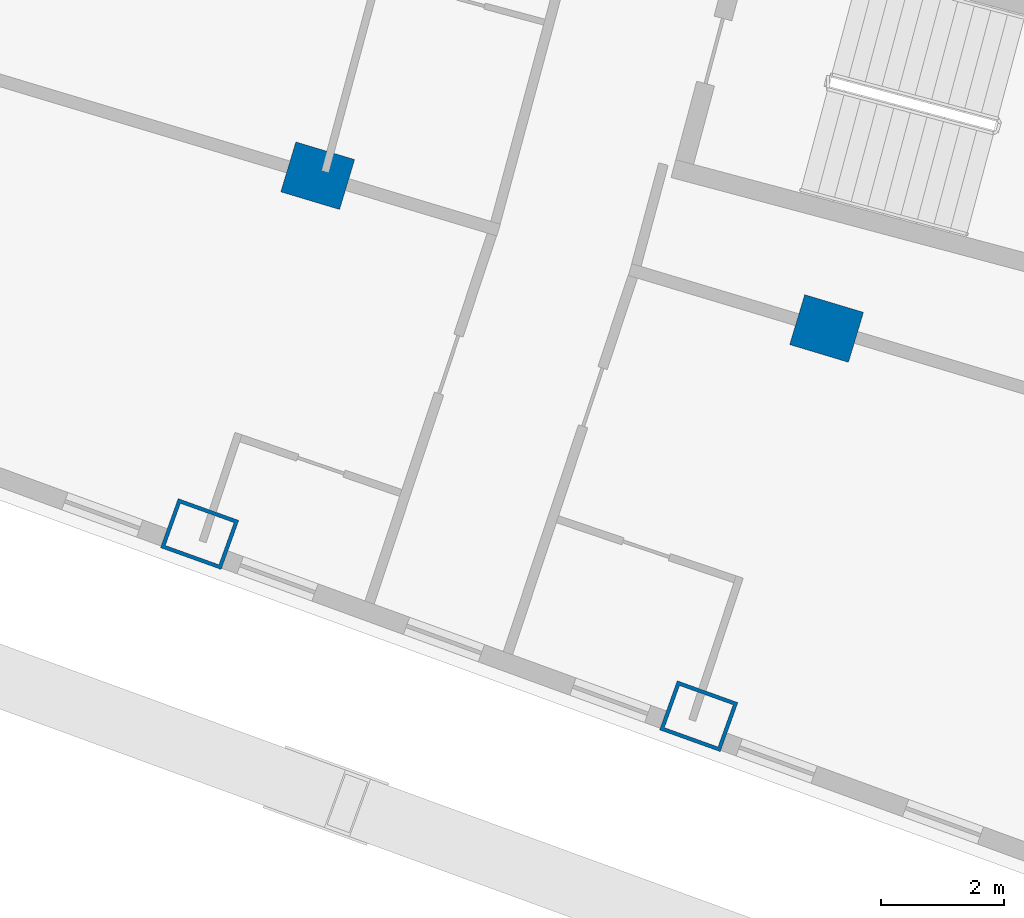
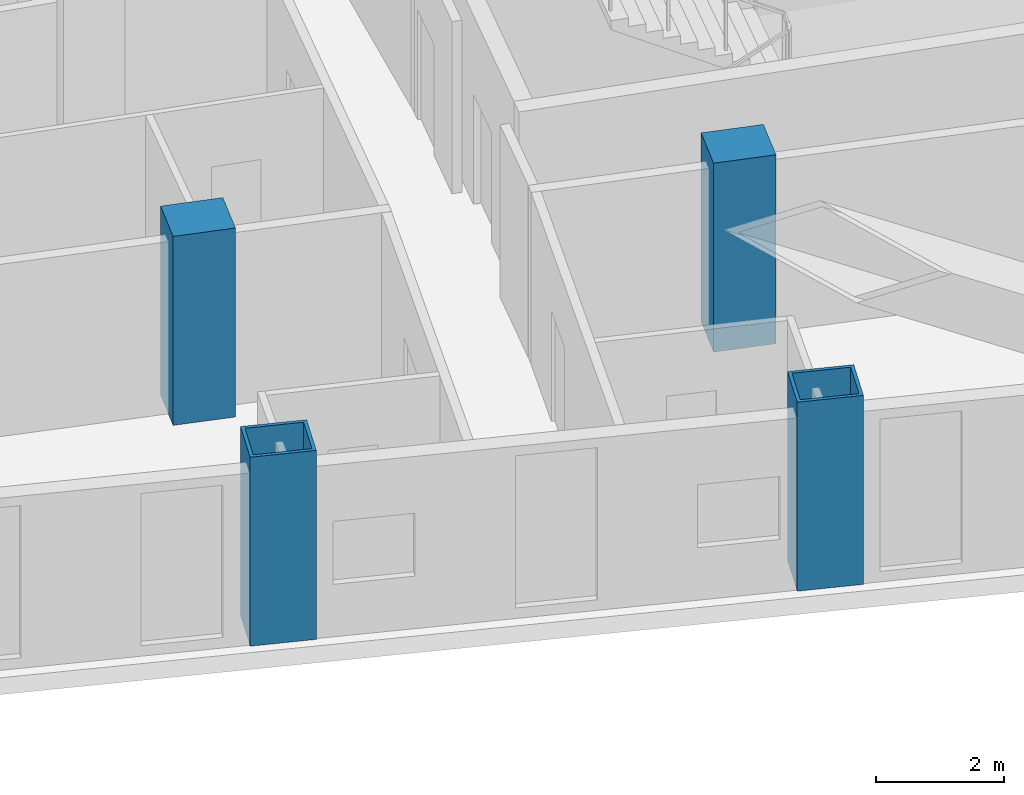
# One storey, part 2 of 26: 4 columns.
"""IFC4 building model written with IfcOpenShell, lengths in metres."""

from ifc_helpers import new_model, si_unit, direction, frame, origin, origin_2d, place, context, subcontext, project, spatial, rectangle, hollow_rectangle, extrude, material, material_profile, profile_set, type_object, element, save


model = new_model("IFC4")

# Units and contexts
model_context = context("Model", 3, precision=1e-05, world=origin(), true_north=direction((0.0, 1.0)))
body_context = subcontext(model_context, "Body", "Model", "MODEL_VIEW")
ifc_project = project(units=[si_unit("LENGTHUNIT", "METRE"), si_unit("AREAUNIT", "SQUARE_METRE"), si_unit("VOLUMEUNIT", "CUBIC_METRE"), si_unit("PLANEANGLEUNIT", "RADIAN"), si_unit("MASSUNIT", "GRAM", prefix="KILO")], contexts=[model_context])

# Site, building, storey
site_placement = place(None, origin())
site = spatial("IfcSite", under=ifc_project, at=site_placement, CompositionType="ELEMENT")
building_placement = place(site_placement, origin())
building = spatial("IfcBuilding", under=site, at=building_placement, Name="Alderwake Tower", CompositionType="ELEMENT")
storey_placement = place(building_placement, frame((0.0, 0.0, 82.39990234375)))
storey = spatial("IfcBuildingStorey", under=building, at=storey_placement, Name="L19", CompositionType="ELEMENT", Elevation=82.39990234375)

# Columns
ifc_material_1 = material(Name="Steel ASTM A572 Grade 50 concrete filled C70/85", Category="concrete")
ifc_material_profile_1 = material_profile(ifc_material_1, hollow_rectangle(XDim=0.85009765625, YDim=1.050048828125, WallThickness=0.06005859375, at=origin_2d()), Name="BOX 1050X850X60")
ifc_profile_set_1 = profile_set([ifc_material_profile_1], Name="Steel ASTM A572 Grade 50 concrete filled C70/85")
column_type_1 = type_object("IfcColumnType", Name="End column Z2", PredefinedType="COLUMN", material=ifc_profile_set_1)
for number, where, z_axis, x_axis, name in (
    (1, (28.983642578125, 21.856689453125, 0.0), (0.0, 0.0, 1.0), (0.338026774049, 0.941136493834, 0.0), "Column R01-C2"),
    (2, (37.125, 18.884765625, 0.0), (0.0, 0.0, 1.0), (0.338365126362, 0.941014899596, 0.0), "Column R01-C3"),
):
    element("IfcColumn", number, at=place(storey_placement, frame(where, z_axis=z_axis, x_axis=x_axis)), inside=storey, type_object=column_type_1, Name=name, PredefinedType="COLUMN", context=body_context, shape_type="SweptSolid", body=[
        extrude(hollow_rectangle(XDim=0.85009765625, YDim=1.050048828125, WallThickness=0.06005859375, at=origin_2d()), origin(), (0.0, 0.0, 1.0), 3.60009765625),
    ])
ifc_material_2 = material(Name="Concrete C70/85", Category="concrete")
ifc_material_profile_2 = material_profile(ifc_material_2, rectangle(XDim=0.85009765625, YDim=1.0, at=origin_2d()), Name="RC 1000X850")
ifc_profile_set_2 = profile_set([ifc_material_profile_2], Name="Concrete C70/85")
column_type_2 = type_object("IfcColumnType", Name="Interior column Z2", PredefinedType="COLUMN", material=ifc_profile_set_2)
for number, where, z_axis, x_axis, name in (
    (3, (30.9091796875, 27.701904296875, 0.0), (0.0, 0.0, 1.0), (0.287549418125, 0.957765802342, 0.0), "Column R02-C2"),
    (4, (39.2099609375, 25.209716796875, 0.0), (0.0, 0.0, 1.0), (0.287549418125, 0.957765802342, 0.0), "Column R02-C3"),
):
    element("IfcColumn", number, at=place(storey_placement, frame(where, z_axis=z_axis, x_axis=x_axis)), inside=storey, type_object=column_type_2, Name=name, PredefinedType="COLUMN", context=body_context, shape_type="SweptSolid", body=[
        extrude(rectangle(XDim=0.85009765625, YDim=1.0, at=origin_2d()), origin(), (0.0, 0.0, 1.0), 3.60009765625),
    ])

save(model, "model.ifc")
